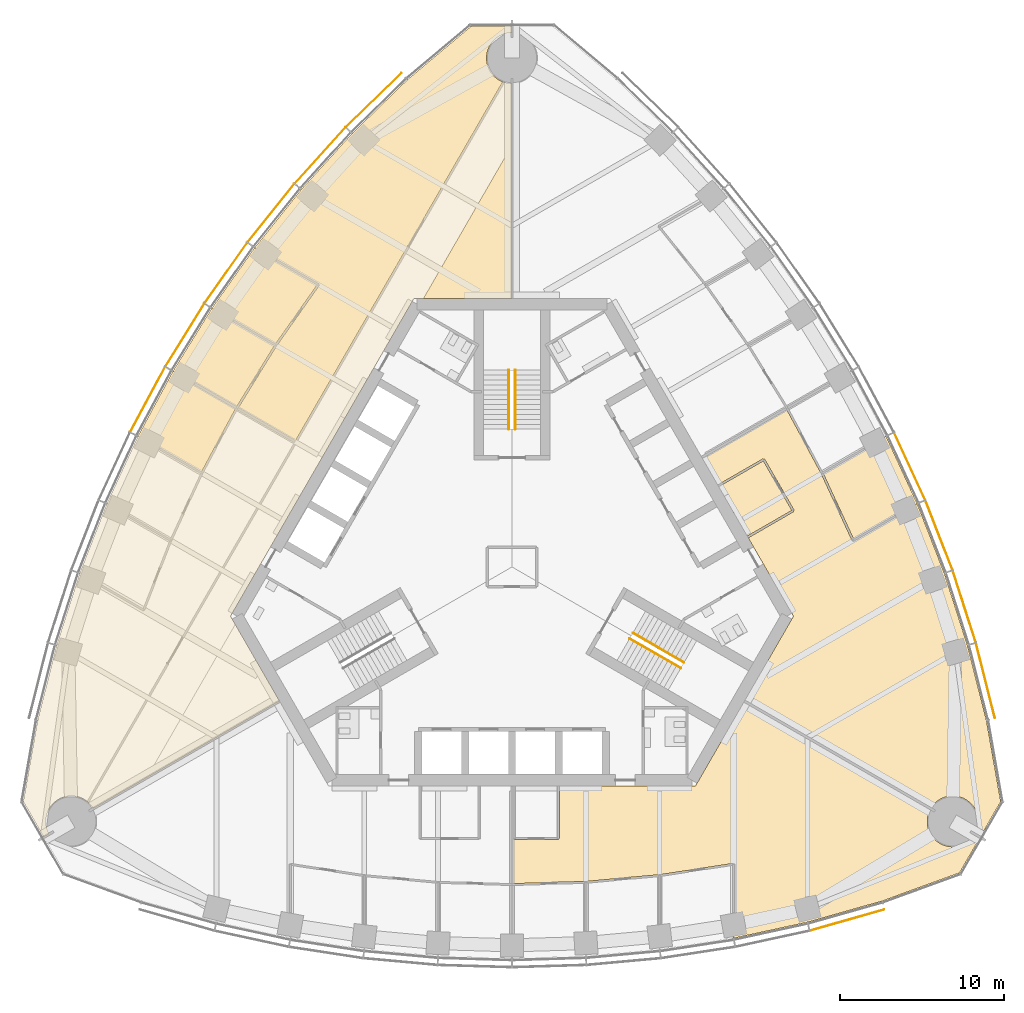
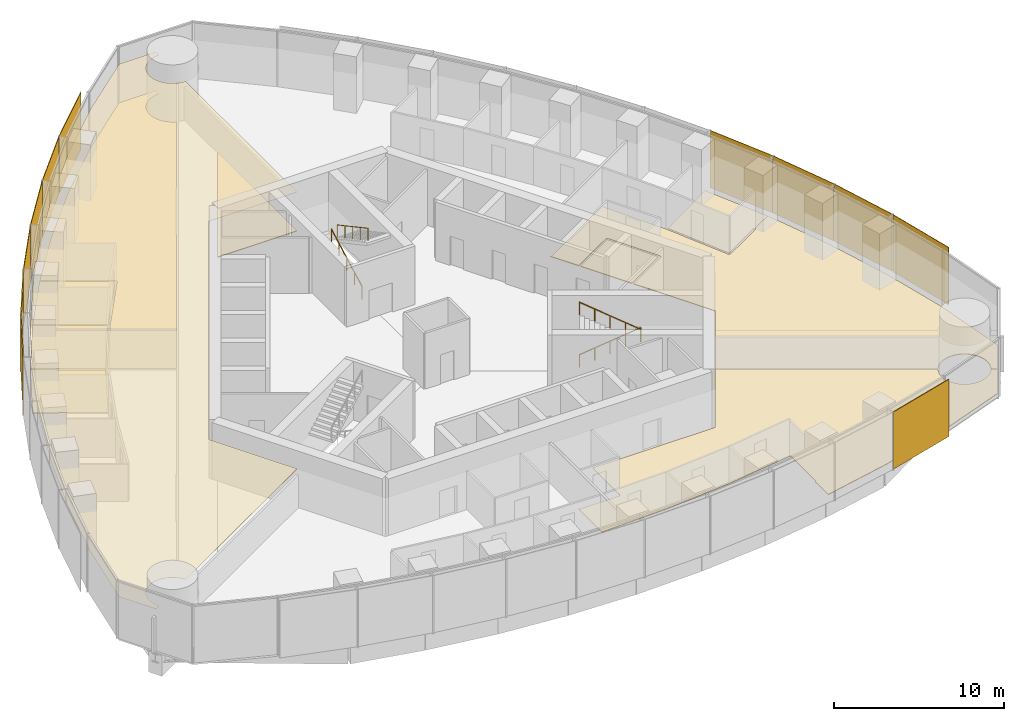
# One storey, part 13 of 16: 11 shading devices, 10 coverings, 4 railings.
"""IFC4 building model written with IfcOpenShell, lengths in metres."""

from ifc_helpers import new_model, si_unit, direction, frame, origin, origin_2d, place, context, subcontext, project, spatial, polyline, rectangle, circle, outline, extrude, material, layer, layer_set, type_object, element, save


model = new_model("IFC4")

# Units and contexts
model_context = context("Model", 3, precision=1e-05, world=origin(), true_north=direction((0.0, 1.0)))
body_context = subcontext(model_context, "Body", "Model", "MODEL_VIEW")
ifc_project = project(units=[si_unit("LENGTHUNIT", "METRE"), si_unit("AREAUNIT", "SQUARE_METRE"), si_unit("VOLUMEUNIT", "CUBIC_METRE"), si_unit("PLANEANGLEUNIT", "RADIAN"), si_unit("MASSUNIT", "GRAM", prefix="KILO")], contexts=[model_context])

# Site, building, storey
site_placement = place(None, origin())
site = spatial("IfcSite", under=ifc_project, at=site_placement, CompositionType="ELEMENT")
building_placement = place(site_placement, origin())
building = spatial("IfcBuilding", under=site, at=building_placement, Name="Trefoil Bronze Tower", CompositionType="ELEMENT")
storey_placement = place(building_placement, frame((0.0, 0.0, 284.699951171875)))
storey = spatial("IfcBuildingStorey", under=building, at=storey_placement, Name="L65", CompositionType="ELEMENT", Elevation=284.699951171875)

# Shading devices
ifc_material_1 = material(Name="Perforated bronze sheet", Category="bronze")
ifc_layer_1 = layer(ifc_material_1, 0.0400390625)
ifc_layer_set_1 = layer_set([ifc_layer_1], Name="Bronze solar screen panel")
shading_device_type = type_object("IfcShadingDeviceType", Name="Bronze solar screen panel", PredefinedType="SHUTTER", material=ifc_layer_set_1)
for number, where, z_axis, x_axis, name in (
    (1, (20.42138671875, -21.515625, 0.050048828125), (0.0, 0.0, 1.0), (0.962097746943, 0.272704831875, 0.0), "Solar screen CW-A L65 F1 bay 10"),
    (2, (28.843994140625, -6.927490234375, 0.050048828125), (0.0, 0.0, 1.0), (-0.244879561333, 0.969553505713, 0.0), "Solar screen CW-A L65 F2 bay 1"),
):
    element("IfcShadingDevice", number, at=place(storey_placement, frame(where, z_axis=z_axis, x_axis=x_axis)), inside=storey, type_object=shading_device_type, Name=name, PredefinedType="SHUTTER", context=body_context, shape_type="SweptSolid", body=[
        extrude(rectangle(XDim=4.697509765625, YDim=0.0400390625, at=origin_2d()), origin(), (0.0, 0.0, 1.0), 4.10009765625),
    ])
shading_device_1_placement = place(storey_placement, frame((27.55322265625, -2.410888671875, 0.050048828125), z_axis=(0.0, 0.0, 1.0), x_axis=(-0.305187864214, 0.952292165009, 0.0)))
element("IfcShadingDevice", 3, at=shading_device_1_placement, inside=storey, type_object=shading_device_type, Name="Solar screen CW-A L65 F2 bay 2", PredefinedType="SHUTTER", context=body_context, shape_type="SweptSolid", body=[
    extrude(rectangle(XDim=4.574462890625, YDim=0.0400390625, at=origin_2d()), origin(), (0.0, 0.0, 1.0), 4.10009765625),
])
shading_device_2_placement = place(storey_placement, frame((26.0126953125, 1.93359375, 0.050048828125), z_axis=(0.0, 0.0, 1.0), x_axis=(-0.363198578387, 0.931711754062, 0.0)))
element("IfcShadingDevice", 4, at=shading_device_2_placement, inside=storey, type_object=shading_device_type, Name="Solar screen CW-A L65 F2 bay 3", PredefinedType="SHUTTER", context=body_context, shape_type="SweptSolid", body=[
    extrude(rectangle(XDim=4.5224609375, YDim=0.0400390625, at=origin_2d()), origin(), (0.0, 0.0, 1.0), 4.10009765625),
])
shading_device_3_placement = place(storey_placement, frame((24.2255859375, 6.135986328125, 0.050048828125), z_axis=(0.0, 0.0, 1.0), x_axis=(-0.419309148468, 0.907843509649, 0.0)))
element("IfcShadingDevice", 5, at=shading_device_3_placement, inside=storey, type_object=shading_device_type, Name="Solar screen CW-A L65 F2 bay 4", PredefinedType="SHUTTER", context=body_context, shape_type="SweptSolid", body=[
    extrude(rectangle(XDim=4.48876953125, YDim=0.0400390625, at=origin_2d()), origin(), (0.0, 0.0, 1.0), 4.10009765625),
])
shading_device_4_placement = place(storey_placement, frame((-8.42236328125, 28.443359375, 0.050048828125), z_axis=(0.0, 0.0, 1.0), x_axis=(-0.71721818561, -0.696848673839, 0.0)))
element("IfcShadingDevice", 6, at=shading_device_4_placement, inside=storey, type_object=shading_device_type, Name="Solar screen CW-A L65 F3 bay 1", PredefinedType="SHUTTER", context=body_context, shape_type="SweptSolid", body=[
    extrude(rectangle(XDim=4.697509765625, YDim=0.0400390625, at=origin_2d()), origin(), (0.0, 0.0, 1.0), 4.10009765625),
])
shading_device_5_placement = place(storey_placement, frame((-11.688720703125, 25.067138671875, 0.050048828125), z_axis=(0.0, 0.0, 1.0), x_axis=(-0.672115274615, -0.74044652584, 0.0)))
element("IfcShadingDevice", 7, at=shading_device_5_placement, inside=storey, type_object=shading_device_type, Name="Solar screen CW-A L65 F3 bay 2", PredefinedType="SHUTTER", context=body_context, shape_type="SweptSolid", body=[
    extrude(rectangle(XDim=4.574462890625, YDim=0.0400390625, at=origin_2d()), origin(), (0.0, 0.0, 1.0), 4.10009765625),
])
shading_device_6_placement = place(storey_placement, frame((-14.680908203125, 21.560791015625, 0.050048828125), z_axis=(0.0, 0.0, 1.0), x_axis=(-0.625286758829, -0.780395072533, 0.0)))
element("IfcShadingDevice", 8, at=shading_device_6_placement, inside=storey, type_object=shading_device_type, Name="Solar screen CW-A L65 F3 bay 3", PredefinedType="SHUTTER", context=body_context, shape_type="SweptSolid", body=[
    extrude(rectangle(XDim=4.5224609375, YDim=0.0400390625, at=origin_2d()), origin(), (0.0, 0.0, 1.0), 4.10009765625),
])
shading_device_7_placement = place(storey_placement, frame((-17.4267578125, 17.912109375, 0.050048828125), z_axis=(0.0, 0.0, 1.0), x_axis=(-0.576560967783, -0.817054129437, 0.0)))
element("IfcShadingDevice", 9, at=shading_device_7_placement, inside=storey, type_object=shading_device_type, Name="Solar screen CW-A L65 F3 bay 4", PredefinedType="SHUTTER", context=body_context, shape_type="SweptSolid", body=[
    extrude(rectangle(XDim=4.48876953125, YDim=0.0400390625, at=origin_2d()), origin(), (0.0, 0.0, 1.0), 4.10009765625),
])
for number, where, z_axis, x_axis, name in (
    (10, (-19.931396484375, 14.124267578125, 0.050048828125), (0.0, 0.0, 1.0), (-0.525979532701, -0.850497225851, 0.0), "Solar screen CW-A L65 F3 bay 5"),
    (11, (-22.19775390625, 10.198974609375, 0.050048828125), (0.0, 0.0, 1.0), (-0.473562437085, -0.880760250115, 0.0), "Solar screen CW-A L65 F3 bay 6"),
):
    element("IfcShadingDevice", number, at=place(storey_placement, frame(where, z_axis=z_axis, x_axis=x_axis)), inside=storey, type_object=shading_device_type, Name=name, PredefinedType="SHUTTER", context=body_context, shape_type="SweptSolid", body=[
        extrude(rectangle(XDim=4.47216796875, YDim=0.0400390625, at=origin_2d()), origin(), (0.0, 0.0, 1.0), 4.10009765625),
    ])

# Railings
ifc_material_2 = material(Name="Steel handrail", Category="steel")
railing_type = type_object("IfcRailingType", Name="Handrail 900", PredefinedType="HANDRAIL", material=ifc_material_2)
railing_1_placement = place(storey_placement, frame((7.365966796875, -4.021728515625, 0.16162109375)))
element("IfcRailing", 12, at=railing_1_placement, inside=storey, type_object=railing_type, Name="Handrail ST1 flight 1 L65", PredefinedType="HANDRAIL", context=body_context, shape_type="SweptSolid", body=[
    extrude(circle(Radius=0.02392578125, at=origin_2d()), frame((0.0, 0.0, 0.8759765625), z_axis=(0.76250339821, -0.440245697338, 0.474101564745), x_axis=(0.500012057535, 0.866018442252, 0.0)), (0.0, 0.0, 1.0), 4.088623046875),
    extrude(circle(Radius=0.02099609375, at=origin_2d()), origin(), (0.0, 0.0, 1.0), 0.851806640625),
    extrude(circle(Radius=0.02099609375, at=origin_2d()), frame((0.779296875, -0.449951171875, 0.484619140625)), (0.0, 0.0, 1.0), 0.851806640625),
    extrude(circle(Radius=0.02099609375, at=origin_2d()), frame((1.558837890625, -0.89990234375, 0.96923828125)), (0.0, 0.0, 1.0), 0.851806640625),
    extrude(circle(Radius=0.02099609375, at=origin_2d()), frame((2.33837890625, -1.35009765625, 1.453857421875)), (0.0, 0.0, 1.0), 0.851806640625),
    extrude(circle(Radius=0.02099609375, at=origin_2d()), frame((3.11767578125, -1.800048828125, 1.9384765625)), (0.0, 0.0, 1.0), 0.851806640625),
])
railing_2_placement = place(storey_placement, frame((10.28369140625, -6.168212890625, 2.261474609375)))
element("IfcRailing", 13, at=railing_2_placement, inside=storey, type_object=railing_type, Name="Handrail ST1 flight 2 L65", PredefinedType="HANDRAIL", context=body_context, shape_type="SweptSolid", body=[
    extrude(circle(Radius=0.02392578125, at=origin_2d()), frame((0.0, 0.0, 0.8759765625), z_axis=(-0.76250339821, 0.440245697338, 0.474101564745), x_axis=(-0.500012057535, -0.866018442252, 0.0)), (0.0, 0.0, 1.0), 4.088623046875),
    extrude(circle(Radius=0.02099609375, at=origin_2d()), origin(), (0.0, 0.0, 1.0), 0.851806640625),
    extrude(circle(Radius=0.02099609375, at=origin_2d()), frame((-0.779296875, 0.449951171875, 0.484619140625)), (0.0, 0.0, 1.0), 0.851806640625),
    extrude(circle(Radius=0.02099609375, at=origin_2d()), frame((-1.558837890625, 0.89990234375, 0.96923828125)), (0.0, 0.0, 1.0), 0.851806640625),
    extrude(circle(Radius=0.02099609375, at=origin_2d()), frame((-2.33837890625, 1.35009765625, 1.453857421875)), (0.0, 0.0, 1.0), 0.851806640625),
    extrude(circle(Radius=0.02099609375, at=origin_2d()), frame((-3.11767578125, 1.800048828125, 1.9384765625)), (0.0, 0.0, 1.0), 0.851806640625),
])
railing_3_placement = place(storey_placement, frame((-0.199951171875, 8.389892578125, 0.16162109375)))
element("IfcRailing", 14, at=railing_3_placement, inside=storey, type_object=railing_type, Name="Handrail ST2 flight 1 L65", PredefinedType="HANDRAIL", context=body_context, shape_type="SweptSolid", body=[
    extrude(circle(Radius=0.02392578125, at=origin_2d()), frame((0.0, 0.0, 0.8759765625), z_axis=(0.0, 0.880474934443, 0.474092701714), x_axis=(-1.0, 0.0, 0.0)), (0.0, 0.0, 1.0), 4.0888671875),
    extrude(circle(Radius=0.02099609375, at=origin_2d()), origin(), (0.0, 0.0, 1.0), 0.851806640625),
    extrude(circle(Radius=0.02099609375, at=origin_2d()), frame((0.0, 0.89990234375, 0.484619140625)), (0.0, 0.0, 1.0), 0.851806640625),
    extrude(circle(Radius=0.02099609375, at=origin_2d()), frame((0.0, 1.800048828125, 0.96923828125)), (0.0, 0.0, 1.0), 0.851806640625),
    extrude(circle(Radius=0.02099609375, at=origin_2d()), frame((0.0, 2.7001953125, 1.453857421875)), (0.0, 0.0, 1.0), 0.851806640625),
    extrude(circle(Radius=0.02099609375, at=origin_2d()), frame((0.0, 3.60009765625, 1.9384765625)), (0.0, 0.0, 1.0), 0.851806640625),
])
railing_4_placement = place(storey_placement, frame((0.199951171875, 11.989990234375, 2.261474609375)))
element("IfcRailing", 15, at=railing_4_placement, inside=storey, type_object=railing_type, Name="Handrail ST2 flight 2 L65", PredefinedType="HANDRAIL", context=body_context, shape_type="SweptSolid", body=[
    extrude(circle(Radius=0.02392578125, at=origin_2d()), frame((0.0, 0.0, 0.8759765625), z_axis=(0.0, -0.880474934443, 0.474092701714), x_axis=(1.0, 0.0, 0.0)), (0.0, 0.0, 1.0), 4.0888671875),
    extrude(circle(Radius=0.02099609375, at=origin_2d()), origin(), (0.0, 0.0, 1.0), 0.851806640625),
    extrude(circle(Radius=0.02099609375, at=origin_2d()), frame((0.0, -0.89990234375, 0.484619140625)), (0.0, 0.0, 1.0), 0.851806640625),
    extrude(circle(Radius=0.02099609375, at=origin_2d()), frame((0.0, -1.800048828125, 0.96923828125)), (0.0, 0.0, 1.0), 0.851806640625),
    extrude(circle(Radius=0.02099609375, at=origin_2d()), frame((0.0, -2.7001953125, 1.453857421875)), (0.0, 0.0, 1.0), 0.851806640625),
    extrude(circle(Radius=0.02099609375, at=origin_2d()), frame((0.0, -3.60009765625, 1.9384765625)), (0.0, 0.0, 1.0), 0.851806640625),
])

# Coverings
ifc_material_3 = material(Name="Acoustic ceiling panels", Category="mineral fibre")
ifc_layer_2 = layer(ifc_material_3, 0.02001953125)
ifc_layer_set_2 = layer_set([ifc_layer_2], Name="Office ceiling 20")
covering_type_1 = type_object("IfcCoveringType", Name="Office ceiling 20", PredefinedType="CEILING", material=ifc_layer_set_2)
covering_1_placement = place(storey_placement, frame((0.0, 0.0, 2.900146484375)))
element("IfcCovering", 16, at=covering_1_placement, inside=storey, type_object=covering_type_1, Name="Ceiling L65 Open support area F3", PredefinedType="CEILING", context=body_context, shape_type="SweptSolid", body=[
    extrude(outline(polyline([(-27.741455078125, -4.76806640625), (-26.336181640625, -0.38330078125), (-24.682861328125, 3.8583984375), (-22.7880859375, 7.960693359375), (-20.656005859375, 11.92578125), (-18.2880859375, 15.7548828125), (-15.682861328125, 19.44677734375), (-12.836181640625, 22.99951171875), (-9.741455078125, 26.408935546875), (-6.350830078125, 29.703125), (-2.508056640625, 32.927490234375), (-0.01220703125, 32.927490234375), (-0.01220703125, 32.5498046875), (-0.076171875, 32.548095703125), (-0.15185546875, 32.54248046875), (-0.227294921875, 32.533203125), (-0.302490234375, 32.520263671875), (-0.376708984375, 32.50341796875), (-0.449951171875, 32.4833984375), (-0.522216796875, 32.45947265625), (-0.59326171875, 32.431884765625), (-0.66259765625, 32.401123046875), (-0.730712890625, 32.366943359375), (-0.796875, 32.32958984375), (-0.861083984375, 32.288818359375), (-0.92333984375, 32.2451171875), (-0.9833984375, 32.1982421875), (-1.041015625, 32.1484375), (-1.095947265625, 32.095947265625), (-1.1484375, 32.041015625), (-1.1982421875, 31.9833984375), (-1.2451171875, 31.92333984375), (-1.288818359375, 31.861083984375), (-1.32958984375, 31.796875), (-1.366943359375, 31.730712890625), (-1.401123046875, 31.66259765625), (-1.431884765625, 31.59326171875), (-1.45947265625, 31.522216796875), (-1.4833984375, 31.449951171875), (-1.50341796875, 31.376708984375), (-1.520263671875, 31.302490234375), (-1.533203125, 31.227294921875), (-1.54248046875, 31.15185546875), (-1.548095703125, 31.076171875), (-1.550048828125, 31.0), (-1.548095703125, 30.923828125), (-1.54248046875, 30.84814453125), (-1.533203125, 30.772705078125), (-1.520263671875, 30.697509765625), (-1.50341796875, 30.623291015625), (-1.4833984375, 30.550048828125), (-1.45947265625, 30.477783203125), (-1.431884765625, 30.40673828125), (-1.401123046875, 30.33740234375), (-1.366943359375, 30.269287109375), (-1.32958984375, 30.203125), (-1.288818359375, 30.138916015625), (-1.2451171875, 30.07666015625), (-1.1982421875, 30.0166015625), (-1.1484375, 29.958984375), (-1.095947265625, 29.904052734375), (-1.041015625, 29.8515625), (-0.9833984375, 29.8017578125), (-0.92333984375, 29.7548828125), (-0.861083984375, 29.711181640625), (-0.796875, 29.67041015625), (-0.730712890625, 29.633056640625), (-0.66259765625, 29.598876953125), (-0.59326171875, 29.568115234375), (-0.522216796875, 29.54052734375), (-0.449951171875, 29.5166015625), (-0.376708984375, 29.49658203125), (-0.302490234375, 29.479736328125), (-0.227294921875, 29.466796875), (-0.15185546875, 29.45751953125), (-0.076171875, 29.451904296875), (-0.010986328125, 29.4501953125), (-0.006103515625, 16.35009765625), (-5.9755859375, 16.35009765625), (-17.147216796875, -3.0), (-14.16259765625, -8.169677734375), (-25.51025390625, -14.715576171875), (-25.55810546875, -14.638916015625), (-25.601806640625, -14.57666015625), (-25.648681640625, -14.5166015625), (-25.6982421875, -14.458984375), (-25.750732421875, -14.404052734375), (-25.805908203125, -14.3515625), (-25.863525390625, -14.3017578125), (-25.923583984375, -14.2548828125), (-25.985595703125, -14.211181640625), (-26.0498046875, -14.17041015625), (-26.1162109375, -14.133056640625), (-26.18408203125, -14.098876953125), (-26.253662109375, -14.068115234375), (-26.32470703125, -14.04052734375), (-26.396728515625, -14.0166015625), (-26.47021484375, -13.99658203125), (-26.54443359375, -13.979736328125), (-26.619384765625, -13.966796875), (-26.69482421875, -13.95751953125), (-26.770751953125, -13.951904296875), (-26.8466796875, -13.949951171875), (-26.9228515625, -13.951904296875), (-26.998779296875, -13.95751953125), (-27.07421875, -13.966796875), (-27.149169921875, -13.979736328125), (-27.223388671875, -13.99658203125), (-27.296630859375, -14.0166015625), (-27.368896484375, -14.04052734375), (-27.43994140625, -14.068115234375), (-27.509521484375, -14.098876953125), (-27.577392578125, -14.133056640625), (-27.6435546875, -14.17041015625), (-27.7080078125, -14.211181640625), (-27.77001953125, -14.2548828125), (-27.830078125, -14.3017578125), (-27.8876953125, -14.3515625), (-27.94287109375, -14.404052734375), (-27.995361328125, -14.458984375), (-28.044921875, -14.5166015625), (-28.091796875, -14.57666015625), (-28.135498046875, -14.638916015625), (-28.17626953125, -14.703125), (-28.2138671875, -14.769287109375), (-28.248046875, -14.83740234375), (-28.27880859375, -14.90673828125), (-28.30615234375, -14.977783203125), (-28.330078125, -15.050048828125), (-28.350341796875, -15.123291015625), (-28.366943359375, -15.197509765625), (-28.3798828125, -15.272705078125), (-28.389404296875, -15.34814453125), (-28.39501953125, -15.423828125), (-28.396728515625, -15.5), (-28.39501953125, -15.576171875), (-28.389404296875, -15.65185546875), (-28.3798828125, -15.727294921875), (-28.366943359375, -15.802490234375), (-28.350341796875, -15.876708984375), (-28.330078125, -15.949951171875), (-28.30615234375, -16.022216796875), (-28.27880859375, -16.09326171875), (-28.248046875, -16.16259765625), (-28.2138671875, -16.230712890625), (-28.19482421875, -16.26416015625), (-28.522216796875, -16.453125), (-29.770263671875, -14.291748046875), (-28.899169921875, -9.3515625), (-27.741455078125, -4.76806640625)])), origin(), (0.0, 0.0, 1.0), 0.02001953125),
])
ifc_material_4 = material(Name="Raised access floor panels", Category="steel")
ifc_layer_3 = layer(ifc_material_4, 0.050048828125)
ifc_layer_set_3 = layer_set([ifc_layer_3], Name="Raised access floor 150")
covering_type_2 = type_object("IfcCoveringType", Name="Raised access floor 150", PredefinedType="FLOORING", material=ifc_layer_set_3)
covering_2_placement = place(storey_placement, frame((0.0, 0.0, 0.10009765625)))
element("IfcCovering", 17, at=covering_2_placement, inside=storey, type_object=covering_type_2, Name="Raised floor L65 Open support area F1", PredefinedType="FLOORING", context=body_context, shape_type="SweptSolid", body=[
    extrude(outline(polyline([(13.5, -21.060546875), (13.56005859375, -21.060546875), (13.56005859375, -18.1162109375), (13.5, -18.1162109375), (13.490966796875, -18.056884765625), (8.99267578125, -18.74560546875), (4.496337890625, -19.155517578125), (0.074951171875, -19.289306640625), (0.074951171875, -16.550048828125), (0.125, -16.550048828125), (0.125, -16.610107421875), (2.824951171875, -16.610107421875), (2.824951171875, -16.550048828125), (2.885009765625, -16.550048828125), (2.885009765625, -13.35009765625), (11.171630859375, -13.35009765625), (14.156494140625, -8.180419921875), (25.49951171875, -14.73486328125), (25.479736328125, -14.769287109375), (25.445556640625, -14.83740234375), (25.414794921875, -14.90673828125), (25.387451171875, -14.977783203125), (25.363525390625, -15.050048828125), (25.34326171875, -15.123291015625), (25.32666015625, -15.197509765625), (25.313720703125, -15.272705078125), (25.30419921875, -15.34814453125), (25.298583984375, -15.423828125), (25.296875, -15.5), (25.298583984375, -15.576171875), (25.30419921875, -15.65185546875), (25.313720703125, -15.727294921875), (25.32666015625, -15.802490234375), (25.34326171875, -15.876708984375), (25.363525390625, -15.949951171875), (25.387451171875, -16.022216796875), (25.414794921875, -16.09326171875), (25.445556640625, -16.16259765625), (25.479736328125, -16.230712890625), (25.517333984375, -16.296875), (25.55810546875, -16.361083984375), (25.601806640625, -16.42333984375), (25.648681640625, -16.4833984375), (25.6982421875, -16.541015625), (25.750732421875, -16.595947265625), (25.805908203125, -16.6484375), (25.863525390625, -16.6982421875), (25.923583984375, -16.7451171875), (25.985595703125, -16.788818359375), (26.0498046875, -16.82958984375), (26.1162109375, -16.866943359375), (26.18408203125, -16.901123046875), (26.253662109375, -16.931884765625), (26.32470703125, -16.95947265625), (26.396728515625, -16.9833984375), (26.47021484375, -17.00341796875), (26.54443359375, -17.020263671875), (26.619384765625, -17.033203125), (26.69482421875, -17.04248046875), (26.770751953125, -17.048095703125), (26.8466796875, -17.050048828125), (26.9228515625, -17.048095703125), (26.998779296875, -17.04248046875), (27.07421875, -17.033203125), (27.149169921875, -17.020263671875), (27.223388671875, -17.00341796875), (27.296630859375, -16.9833984375), (27.368896484375, -16.95947265625), (27.43994140625, -16.931884765625), (27.509521484375, -16.901123046875), (27.577392578125, -16.866943359375), (27.6435546875, -16.82958984375), (27.7080078125, -16.788818359375), (27.77001953125, -16.7451171875), (27.830078125, -16.6982421875), (27.8876953125, -16.6484375), (27.94287109375, -16.595947265625), (27.995361328125, -16.541015625), (28.044921875, -16.4833984375), (28.091796875, -16.42333984375), (28.135498046875, -16.361083984375), (28.182861328125, -16.285400390625), (28.510009765625, -16.474609375), (27.26220703125, -18.635986328125), (22.54833984375, -20.3515625), (18.0, -21.640869140625), (13.5, -22.6162109375), (13.5, -21.060546875)])), origin(), (0.0, 0.0, 1.0), 0.050048828125),
])
covering_3_placement = place(storey_placement, frame((0.0, 0.0, 0.10009765625)))
element("IfcCovering", 18, at=covering_3_placement, inside=storey, type_object=covering_type_2, Name="Raised floor L65 Meeting room F2", PredefinedType="FLOORING", context=body_context, shape_type="SweptSolid", body=[
    extrude(outline(polyline([(12.59130859375, 4.89111328125), (15.310791015625, 6.4609375), (17.05078125, 3.447265625), (14.331298828125, 1.877197265625), (12.59130859375, 4.89111328125)])), origin(), (0.0, 0.0, 1.0), 0.050048828125),
])
covering_4_placement = place(storey_placement, frame((0.0, 0.0, 0.10009765625)))
element("IfcCovering", 19, at=covering_4_placement, inside=storey, type_object=covering_type_2, Name="Raised floor L65 Office F2", PredefinedType="FLOORING", context=body_context, shape_type="SweptSolid", body=[
    extrude(outline(polyline([(22.7880859375, 7.960693359375), (24.682861328125, 3.8583984375), (23.347900390625, 3.087646484375), (23.318115234375, 3.1396484375), (20.8125, 1.693115234375), (18.968505859375, 5.68603515625), (21.49072265625, 7.14208984375), (21.460693359375, 7.194091796875), (22.7880859375, 7.960693359375)])), origin(), (0.0, 0.0, 1.0), 0.050048828125),
])
covering_5_placement = place(storey_placement, frame((0.0, 0.0, 0.10009765625)))
element("IfcCovering", 20, at=covering_5_placement, inside=storey, type_object=covering_type_2, Name="Raised floor L65 Open support area F2", PredefinedType="FLOORING", context=body_context, shape_type="SweptSolid", body=[
    extrude(outline(polyline([(14.391357421875, 1.773193359375), (17.16259765625, 3.373291015625), (17.1328125, 3.42529296875), (17.184814453125, 3.455322265625), (15.384765625, 6.572998046875), (15.332763671875, 6.54296875), (15.302734375, 6.594970703125), (12.531494140625, 4.994873046875), (11.56201171875, 6.674072265625), (11.570556640625, 6.67919921875), (11.607666015625, 6.614990234375), (16.742431640625, 9.57958984375), (18.83740234375, 5.683837890625), (20.731201171875, 1.583251953125), (20.78564453125, 1.6083984375), (20.815673828125, 1.556396484375), (23.3779296875, 3.03564453125), (23.347900390625, 3.087646484375), (24.682861328125, 3.8583984375), (26.336181640625, -0.38330078125), (27.741455078125, -4.76806640625), (28.899169921875, -9.3515625), (29.770263671875, -14.291748046875), (28.522216796875, -16.453125), (28.19482421875, -16.26416015625), (28.2138671875, -16.230712890625), (28.248046875, -16.16259765625), (28.27880859375, -16.09326171875), (28.30615234375, -16.022216796875), (28.330078125, -15.949951171875), (28.350341796875, -15.876708984375), (28.366943359375, -15.802490234375), (28.3798828125, -15.727294921875), (28.389404296875, -15.65185546875), (28.39501953125, -15.576171875), (28.396728515625, -15.5), (28.39501953125, -15.423828125), (28.389404296875, -15.34814453125), (28.3798828125, -15.272705078125), (28.366943359375, -15.197509765625), (28.350341796875, -15.123291015625), (28.330078125, -15.050048828125), (28.30615234375, -14.977783203125), (28.27880859375, -14.90673828125), (28.248046875, -14.83740234375), (28.2138671875, -14.769287109375), (28.17626953125, -14.703125), (28.135498046875, -14.638916015625), (28.091796875, -14.57666015625), (28.044921875, -14.5166015625), (27.995361328125, -14.458984375), (27.94287109375, -14.404052734375), (27.8876953125, -14.3515625), (27.830078125, -14.3017578125), (27.77001953125, -14.2548828125), (27.7080078125, -14.211181640625), (27.6435546875, -14.17041015625), (27.577392578125, -14.133056640625), (27.509521484375, -14.098876953125), (27.43994140625, -14.068115234375), (27.368896484375, -14.04052734375), (27.296630859375, -14.0166015625), (27.223388671875, -13.99658203125), (27.149169921875, -13.979736328125), (27.07421875, -13.966796875), (26.998779296875, -13.95751953125), (26.9228515625, -13.951904296875), (26.8466796875, -13.949951171875), (26.770751953125, -13.951904296875), (26.69482421875, -13.95751953125), (26.619384765625, -13.966796875), (26.54443359375, -13.979736328125), (26.47021484375, -13.99658203125), (26.396728515625, -14.0166015625), (26.32470703125, -14.04052734375), (26.253662109375, -14.068115234375), (26.18408203125, -14.098876953125), (26.1162109375, -14.133056640625), (26.0498046875, -14.17041015625), (25.985595703125, -14.211181640625), (25.923583984375, -14.2548828125), (25.863525390625, -14.3017578125), (25.805908203125, -14.3515625), (25.750732421875, -14.404052734375), (25.6982421875, -14.458984375), (25.648681640625, -14.5166015625), (25.601806640625, -14.57666015625), (25.55810546875, -14.638916015625), (25.51025390625, -14.715576171875), (14.16259765625, -8.169677734375), (17.147216796875, -3.0), (14.391357421875, 1.773193359375)])), origin(), (0.0, 0.0, 1.0), 0.050048828125),
])
covering_6_placement = place(storey_placement, frame((0.0, 0.0, 0.10009765625)))
element("IfcCovering", 21, at=covering_6_placement, inside=storey, type_object=covering_type_2, Name="Raised floor L65 Office F3", PredefinedType="FLOORING", context=body_context, shape_type="SweptSolid", body=[
    extrude(outline(polyline([(-15.682861328125, 19.44677734375), (-14.347900390625, 18.676025390625), (-14.3779296875, 18.624267578125), (-11.87255859375, 17.177734375), (-14.408447265625, 13.583984375), (-16.9306640625, 15.040283203125), (-16.960693359375, 14.98828125), (-18.2880859375, 15.7548828125), (-15.682861328125, 19.44677734375)])), origin(), (0.0, 0.0, 1.0), 0.050048828125),
])
covering_7_placement = place(storey_placement, frame((0.0, 0.0, 0.10009765625)))
element("IfcCovering", 22, at=covering_7_placement, inside=storey, type_object=covering_type_2, Name="Raised floor L65 Office F3", PredefinedType="FLOORING", context=body_context, shape_type="SweptSolid", body=[
    extrude(outline(polyline([(-20.656005859375, 11.92578125), (-18.2880859375, 15.7548828125), (-16.960693359375, 14.98828125), (-16.99072265625, 14.936279296875), (-14.474609375, 13.48388671875), (-16.771484375, 9.76953125), (-19.293701171875, 11.225830078125), (-19.3310546875, 11.160888671875), (-20.656005859375, 11.92578125)])), origin(), (0.0, 0.0, 1.0), 0.050048828125),
])
covering_8_placement = place(storey_placement, frame((0.0, 0.0, 0.10009765625)))
element("IfcCovering", 23, at=covering_8_placement, inside=storey, type_object=covering_type_2, Name="Raised floor L65 Office F3", PredefinedType="FLOORING", context=body_context, shape_type="SweptSolid", body=[
    extrude(outline(polyline([(-20.656005859375, 11.92578125), (-19.3310546875, 11.160888671875), (-19.36865234375, 11.095703125), (-16.846435546875, 9.6396484375), (-18.91455078125, 5.79345703125), (-21.4306640625, 7.24609375), (-21.460693359375, 7.194091796875), (-22.7880859375, 7.960693359375), (-20.656005859375, 11.92578125)])), origin(), (0.0, 0.0, 1.0), 0.050048828125),
])
covering_9_placement = place(storey_placement, frame((0.0, 0.0, 0.10009765625)))
element("IfcCovering", 24, at=covering_9_placement, inside=storey, type_object=covering_type_2, Name="Raised floor L65 Open support area F3", PredefinedType="FLOORING", context=body_context, shape_type="SweptSolid", body=[
    extrude(outline(polyline([(-0.56689453125, 29.557861328125), (-13.186767578125, 7.699951171875), (-16.66748046875, 9.709716796875), (-14.3408203125, 13.4716796875), (-11.73681640625, 17.162109375), (-11.78564453125, 17.19677734375), (-11.755615234375, 17.248779296875), (-14.318115234375, 18.72802734375), (-14.347900390625, 18.676025390625), (-15.682861328125, 19.44677734375), (-12.836181640625, 22.99951171875), (-9.741455078125, 26.408935546875), (-6.350830078125, 29.703125), (-2.508056640625, 32.927490234375), (-0.01220703125, 32.927490234375), (-0.01220703125, 32.5498046875), (-0.076171875, 32.548095703125), (-0.15185546875, 32.54248046875), (-0.227294921875, 32.533203125), (-0.302490234375, 32.520263671875), (-0.376708984375, 32.50341796875), (-0.449951171875, 32.4833984375), (-0.522216796875, 32.45947265625), (-0.59326171875, 32.431884765625), (-0.66259765625, 32.401123046875), (-0.730712890625, 32.366943359375), (-0.796875, 32.32958984375), (-0.861083984375, 32.288818359375), (-0.92333984375, 32.2451171875), (-0.9833984375, 32.1982421875), (-1.041015625, 32.1484375), (-1.095947265625, 32.095947265625), (-1.1484375, 32.041015625), (-1.1982421875, 31.9833984375), (-1.2451171875, 31.92333984375), (-1.288818359375, 31.861083984375), (-1.32958984375, 31.796875), (-1.366943359375, 31.730712890625), (-1.401123046875, 31.66259765625), (-1.431884765625, 31.59326171875), (-1.45947265625, 31.522216796875), (-1.4833984375, 31.449951171875), (-1.50341796875, 31.376708984375), (-1.520263671875, 31.302490234375), (-1.533203125, 31.227294921875), (-1.54248046875, 31.15185546875), (-1.548095703125, 31.076171875), (-1.550048828125, 31.0), (-1.548095703125, 30.923828125), (-1.54248046875, 30.84814453125), (-1.533203125, 30.772705078125), (-1.520263671875, 30.697509765625), (-1.50341796875, 30.623291015625), (-1.4833984375, 30.550048828125), (-1.45947265625, 30.477783203125), (-1.431884765625, 30.40673828125), (-1.401123046875, 30.33740234375), (-1.366943359375, 30.269287109375), (-1.32958984375, 30.203125), (-1.288818359375, 30.138916015625), (-1.2451171875, 30.07666015625), (-1.1982421875, 30.0166015625), (-1.1484375, 29.958984375), (-1.095947265625, 29.904052734375), (-1.041015625, 29.8515625), (-0.9833984375, 29.8017578125), (-0.92333984375, 29.7548828125), (-0.861083984375, 29.711181640625), (-0.796875, 29.67041015625), (-0.730712890625, 29.633056640625), (-0.66259765625, 29.598876953125), (-0.59326171875, 29.568115234375), (-0.56689453125, 29.557861328125)])), origin(), (0.0, 0.0, 1.0), 0.050048828125),
])
covering_10_placement = place(storey_placement, frame((0.0, 0.0, 0.10009765625)))
element("IfcCovering", 25, at=covering_10_placement, inside=storey, type_object=covering_type_2, Name="Raised floor L65 Open support area F3", PredefinedType="FLOORING", context=body_context, shape_type="SweptSolid", body=[
    extrude(outline(polyline([(-0.006103515625, 16.35009765625), (-5.398193359375, 16.35009765625), (-0.009521484375, 25.683349609375), (-0.006103515625, 16.35009765625)])), origin(), (0.0, 0.0, 1.0), 0.050048828125),
])

save(model, "model.ifc")
